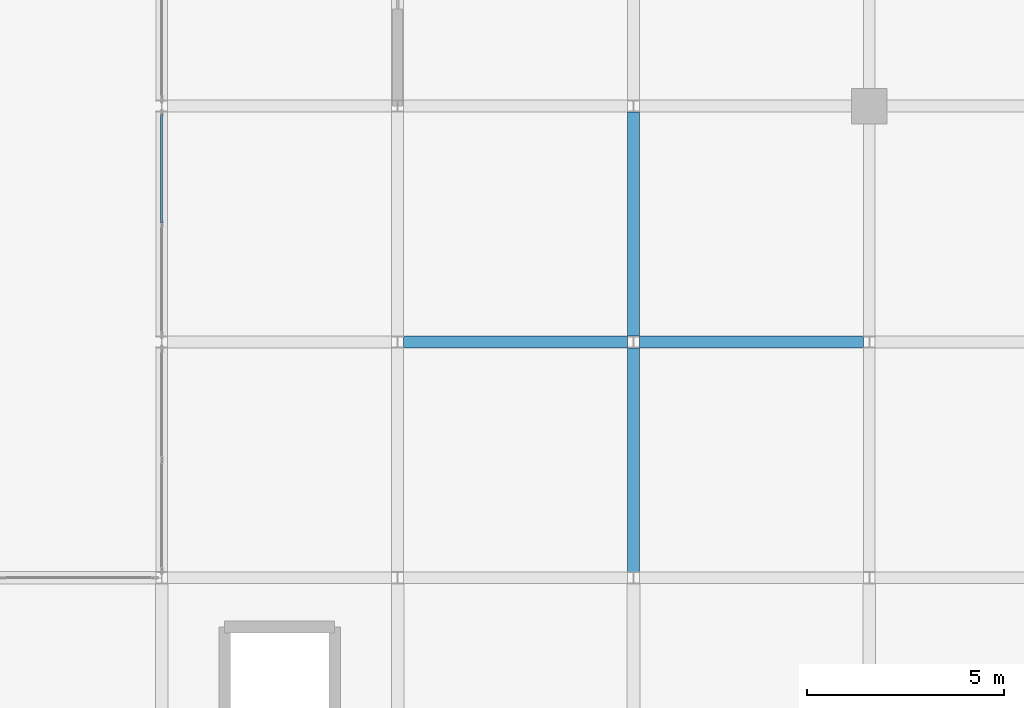
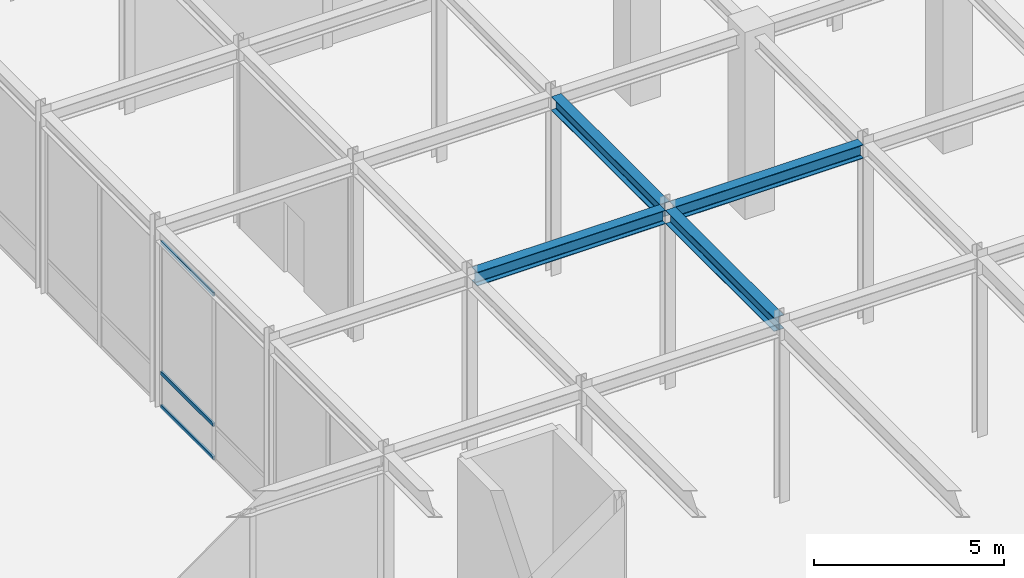
# One storey, part 47 of 108: 4 beams, 3 members, 1 element without a shape of its own.
"""IFC4 building model written with IfcOpenShell, lengths in metres."""

from ifc_helpers import new_model, si_unit, direction, frame, origin, origin_2d, place, context, subcontext, project, spatial, hollow_rectangle, i_section, extrude, material, layer, layer_set, material_profile, profile_set, type_object, element, aggregate, save


model = new_model("IFC4")

# Units and contexts
model_context = context("Model", 3, precision=1e-05, world=origin(), true_north=direction((0.0, 1.0)))
body_context = subcontext(model_context, "Body", "Model", "MODEL_VIEW")
ifc_project = project(units=[si_unit("LENGTHUNIT", "METRE"), si_unit("AREAUNIT", "SQUARE_METRE"), si_unit("VOLUMEUNIT", "CUBIC_METRE"), si_unit("PLANEANGLEUNIT", "RADIAN"), si_unit("MASSUNIT", "GRAM", prefix="KILO")], contexts=[model_context])

# Site, building, storey
site_placement = place(None, origin())
site = spatial("IfcSite", under=ifc_project, at=site_placement, CompositionType="ELEMENT")
building_placement = place(site_placement, origin())
building = spatial("IfcBuilding", under=site, at=building_placement, Name="Zlatovratsky Civic Hall", CompositionType="ELEMENT")
storey_placement = place(building_placement, frame((0.0, 0.0, 6.0)))
storey = spatial("IfcBuildingStorey", under=building, at=storey_placement, Name="L02", CompositionType="ELEMENT", Elevation=6.0)

# Beams
ifc_material_1 = material(Name="Steel S355", Category="steel")
ifc_material_profile_1 = material_profile(ifc_material_1, i_section(OverallWidth=0.300048828125, OverallDepth=0.43994140625, WebThickness=0.010986328125, FlangeThickness=0.01806640625, FilletRadius=0.02197265625, at=origin_2d()), Name="45Sh1")
ifc_profile_set_1 = profile_set([ifc_material_profile_1], Name="Steel S355")
beam_type = type_object("IfcBeamType", Name="Beam_TowerLow_45Sh1", PredefinedType="BEAM", material=ifc_profile_set_1)
for number, where, z_axis, x_axis, name in (
    (1, (54.14990234375, 36.0, 5.5400390625), (1.0, 0.0, 0.0), (0.0, 1.0, 0.0), "BM-1804"),
    (2, (60.14990234375, 36.0, 5.5400390625), (1.0, 0.0, 0.0), (0.0, 1.0, 0.0), "BM-1805"),
    (3, (60.0, 30.14990234375, 5.5400390625), (0.0, 1.0, 0.0), (-1.0, 0.0, 0.0), "BM-2166"),
    (4, (60.0, 36.14990234375, 5.5400390625), (0.0, 1.0, 0.0), (-1.0, 0.0, 0.0), "BM-2167"),
):
    element("IfcBeam", number, at=place(storey_placement, frame(where, z_axis=z_axis, x_axis=x_axis)), inside=storey, type_object=beam_type, Name=name, PredefinedType="BEAM", context=body_context, shape_type="SweptSolid", body=[
        extrude(i_section(OverallWidth=0.300048828125, OverallDepth=0.43994140625, WebThickness=0.010986328125, FlangeThickness=0.01806640625, FilletRadius=0.02197265625, at=origin_2d()), origin(), (0.0, 0.0, 1.0), 5.7001953125),
    ])

# Curtain wall, members
ifc_material_2 = material(Name="Anodised bronze aluminium", Category="aluminium")
ifc_layer = layer(ifc_material_2, 0.159912109375)
ifc_layer_set = layer_set([ifc_layer], Name="Anodised bronze aluminium")
curtain_wall_type = type_object("IfcCurtainWallType", Name="CurtainWall_Bronze_5700x5310_06", PredefinedType="NOTDEFINED", material=ifc_layer_set)
curtain_wall_placement = place(storey_placement, origin())
curtain_wall = element("IfcCurtainWall", 5, at=curtain_wall_placement, inside=storey, type_object=curtain_wall_type, Name="CW-022", PredefinedType="NOTDEFINED")
ifc_material_profile_2 = material_profile(ifc_material_2, hollow_rectangle(XDim=0.06005859375, YDim=0.1201171875, WallThickness=0.00390625, at=origin_2d()), Name="ALU 60x120x4")
ifc_profile_set_2 = profile_set([ifc_material_profile_2], Name="Anodised bronze aluminium")
member_type = type_object("IfcMemberType", Name="CW_Transom_60x120", PredefinedType="USERDEFINED", material=ifc_profile_set_2)
member_1_placement = place(storey_placement, frame((48.0, 39.030029296875, 0.030029296875), z_axis=(0.0, 1.0, 0.0), x_axis=(-1.0, 0.0, 0.0)))
member_1 = element("IfcMember", 6, at=member_1_placement, type_object=member_type, Name="CW-06 transom 2.1", ObjectType="TRANSOM", PredefinedType="USERDEFINED", context=body_context, shape_type="SweptSolid", body=[
    extrude(hollow_rectangle(XDim=0.06005859375, YDim=0.1201171875, WallThickness=0.00390625, at=origin_2d()), origin(), (0.0, 0.0, 1.0), 2.760009765625),
])
member_2_placement = place(storey_placement, frame((48.0, 39.030029296875, 1.10009765625), z_axis=(0.0, 1.0, 0.0), x_axis=(-1.0, 0.0, 0.0)))
member_2 = element("IfcMember", 7, at=member_2_placement, type_object=member_type, Name="CW-06 transom 2.2", ObjectType="TRANSOM", PredefinedType="USERDEFINED", context=body_context, shape_type="SweptSolid", body=[
    extrude(hollow_rectangle(XDim=0.06005859375, YDim=0.1201171875, WallThickness=0.00390625, at=origin_2d()), origin(), (0.0, 0.0, 1.0), 2.760009765625),
])
member_3_placement = place(storey_placement, frame((48.0, 39.030029296875, 5.280029296875), z_axis=(0.0, 1.0, 0.0), x_axis=(-1.0, 0.0, 0.0)))
member_3 = element("IfcMember", 8, at=member_3_placement, type_object=member_type, Name="CW-06 transom 2.3", ObjectType="TRANSOM", PredefinedType="USERDEFINED", context=body_context, shape_type="SweptSolid", body=[
    extrude(hollow_rectangle(XDim=0.06005859375, YDim=0.1201171875, WallThickness=0.00390625, at=origin_2d()), origin(), (0.0, 0.0, 1.0), 2.760009765625),
])
aggregate(curtain_wall, [member_1, member_2, member_3])

save(model, "model.ifc")
